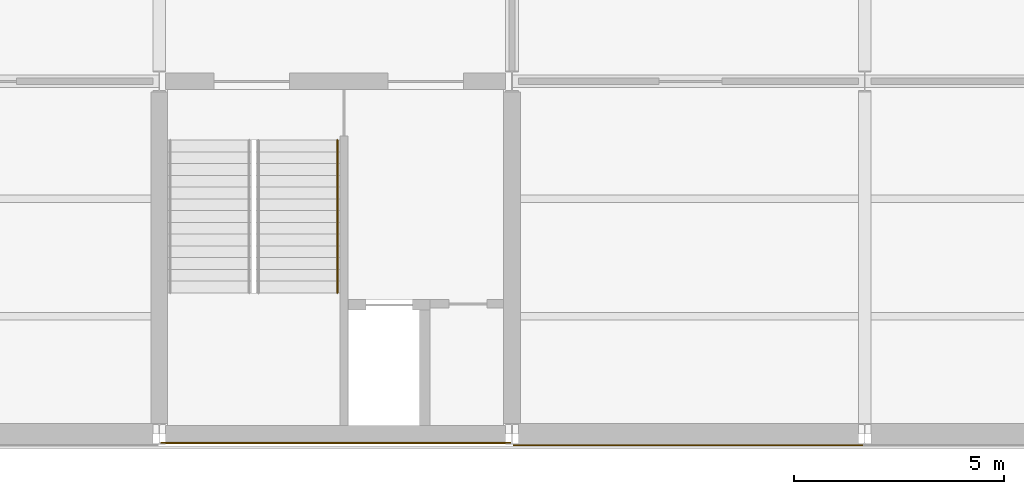
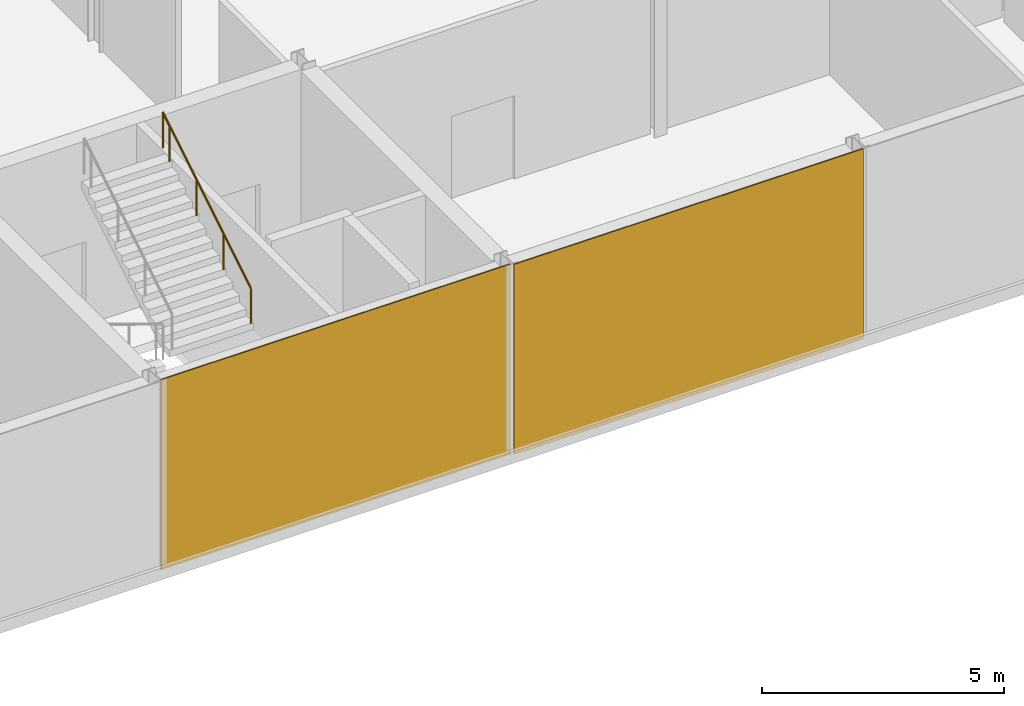
# One storey, part 54 of 61: 2 coverings, 1 railing.
"""IFC4 building model written with IfcOpenShell, lengths in metres."""

from ifc_helpers import new_model, si_unit, direction, frame, origin, origin_2d, place, context, subcontext, project, spatial, rectangle, circle, extrude, material, layer, layer_set, type_object, element, save


model = new_model("IFC4")

# Units and contexts
model_context = context("Model", 3, precision=1e-05, world=origin(), true_north=direction((0.0, 1.0)))
body_context = subcontext(model_context, "Body", "Model", "MODEL_VIEW")
ifc_project = project(units=[si_unit("LENGTHUNIT", "METRE"), si_unit("AREAUNIT", "SQUARE_METRE"), si_unit("VOLUMEUNIT", "CUBIC_METRE"), si_unit("PLANEANGLEUNIT", "RADIAN"), si_unit("MASSUNIT", "GRAM", prefix="KILO")], contexts=[model_context])

# Site, building, storey
site_placement = place(None, origin())
site = spatial("IfcSite", under=ifc_project, at=site_placement, CompositionType="ELEMENT")
building_placement = place(site_placement, origin())
building = spatial("IfcBuilding", under=site, at=building_placement, Name="Galleria Vessillo Department Store", CompositionType="ELEMENT")
storey_placement = place(building_placement, frame((0.0, 0.0, 11.39990234375)))
storey = spatial("IfcBuildingStorey", under=building, at=storey_placement, Name="L02", CompositionType="ELEMENT", Elevation=11.39990234375)

# Coverings
ifc_material_1 = material(Name="Lime plaster (intonaco) ochre")
ifc_layer = layer(ifc_material_1, 0.030029296875)
ifc_layer_set = layer_set([ifc_layer], Name="Lime plaster (intonaco) ochre")
covering_type = type_object("IfcCoveringType", Name="Lime plaster render 30 mm", PredefinedType="CLADDING", material=ifc_layer_set)
covering_1_placement = place(storey_placement, frame((79.800048828125, -0.215087890625, 0.0), z_axis=(0.0, 0.0, 1.0), x_axis=(1.0, 0.0, 0.0)))
element("IfcCovering", 1, at=covering_1_placement, inside=storey, type_object=covering_type, Name="Wall cladding S-CW-PC-SE-PARTY-L02", PredefinedType="CLADDING", context=body_context, shape_type="SweptSolid", body=[
    extrude(rectangle(XDim=8.33984375, YDim=0.030029296875, at=origin_2d()), origin(), (0.0, 0.0, 1.0), 4.800048828125),
])
covering_2_placement = place(storey_placement, frame((88.199951171875, -0.264892578125, 0.0), z_axis=(0.0, 0.0, 1.0), x_axis=(1.0, 0.0, 0.0)))
element("IfcCovering", 2, at=covering_2_placement, inside=storey, type_object=covering_type, Name="Wall cladding S-PS-L02-07", PredefinedType="CLADDING", context=body_context, shape_type="SweptSolid", body=[
    extrude(rectangle(XDim=8.340087890625, YDim=0.030029296875, at=origin_2d()), origin(), (0.0, 0.0, 1.0), 4.800048828125),
])

# Railing
ifc_material_2 = material(Name="Stainless steel tube", Category="steel")
railing_type = type_object("IfcRailingType", Name="Stair handrail steel tube 48 mm", PredefinedType="HANDRAIL", material=ifc_material_2)
railing_placement = place(storey_placement, frame((79.83984375, 3.360107421875, 2.571533203125)))
element("IfcRailing", 3, at=railing_placement, inside=storey, type_object=railing_type, Name="Handrail ST5 L02 flight 2B", PredefinedType="HANDRAIL", context=body_context, shape_type="SweptSolid", body=[
    extrude(circle(Radius=0.02392578125, at=origin_2d()), frame((0.0, 0.0, 0.89599609375), z_axis=(0.0, 0.852849614702, 0.52215661894), x_axis=(-1.0, 0.0, 0.0)), (0.0, 0.0, 1.0), 1.3134765625),
    extrude(circle(Radius=0.02392578125, at=origin_2d()), frame((0.0, 1.1201171875, 1.58154296875), z_axis=(0.0, 0.852798921012, 0.522239409008), x_axis=(-1.0, 0.0, 0.0)), (0.0, 0.0, 1.0), 1.313232421875),
    extrude(circle(Radius=0.02392578125, at=origin_2d()), frame((0.0, 2.239990234375, 2.267578125), z_axis=(0.0, 0.852932391421, 0.522021393877), x_axis=(-1.0, 0.0, 0.0)), (0.0, 0.0, 1.0), 1.313232421875),
    extrude(circle(Radius=0.02392578125, at=origin_2d()), frame((0.0, 3.360107421875, 2.953125), z_axis=(0.0, 0.852729557261, 0.522352660731), x_axis=(-1.0, 0.0, 0.0)), (0.0, 0.0, 1.0), 0.328125),
    extrude(circle(Radius=0.02099609375, at=origin_2d()), origin(), (0.0, 0.0, 1.0), 0.871826171875),
    extrude(circle(Radius=0.02099609375, at=origin_2d()), frame((0.0, 1.1201171875, 0.685791015625)), (0.0, 0.0, 1.0), 0.871826171875),
    extrude(circle(Radius=0.02099609375, at=origin_2d()), frame((0.0, 2.239990234375, 1.37158203125)), (0.0, 0.0, 1.0), 0.871826171875),
    extrude(circle(Radius=0.02099609375, at=origin_2d()), frame((0.0, 3.360107421875, 2.05712890625)), (0.0, 0.0, 1.0), 0.871826171875),
    extrude(circle(Radius=0.02099609375, at=origin_2d()), frame((0.0, 3.639892578125, 2.228515625)), (0.0, 0.0, 1.0), 0.871826171875),
])

save(model, "model.ifc")
